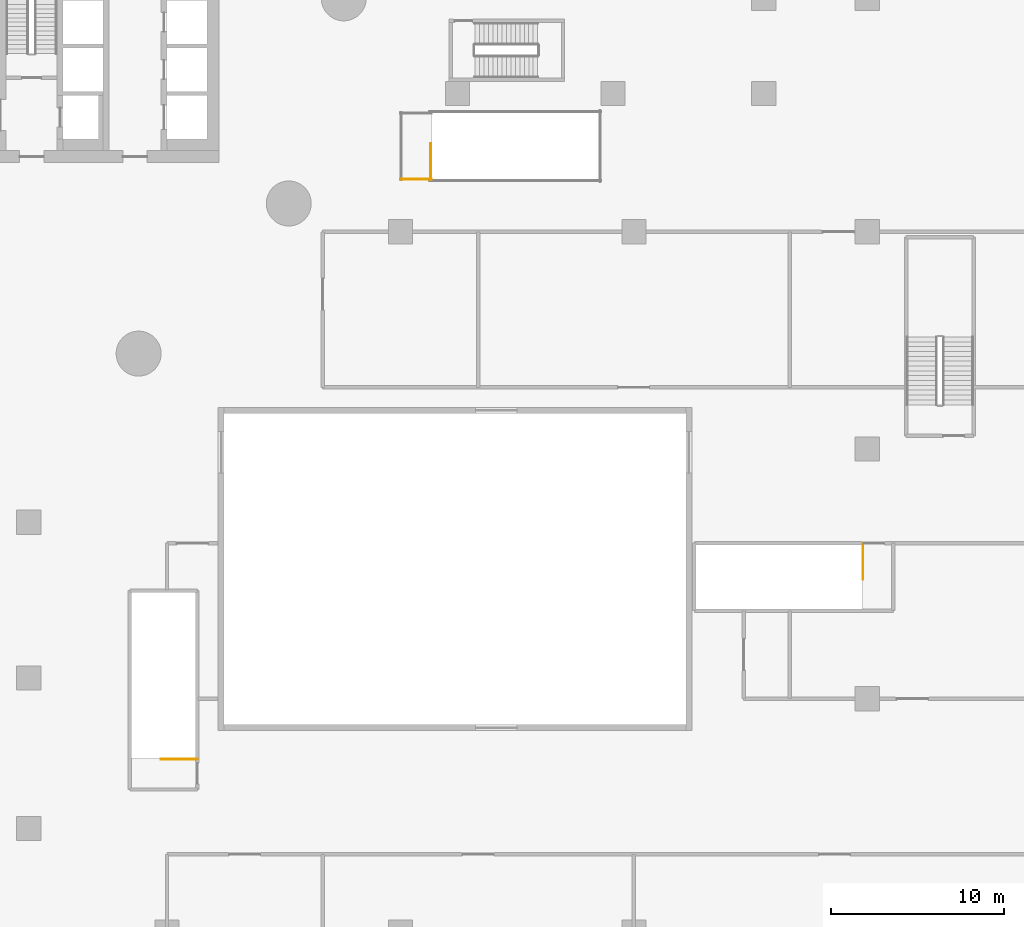
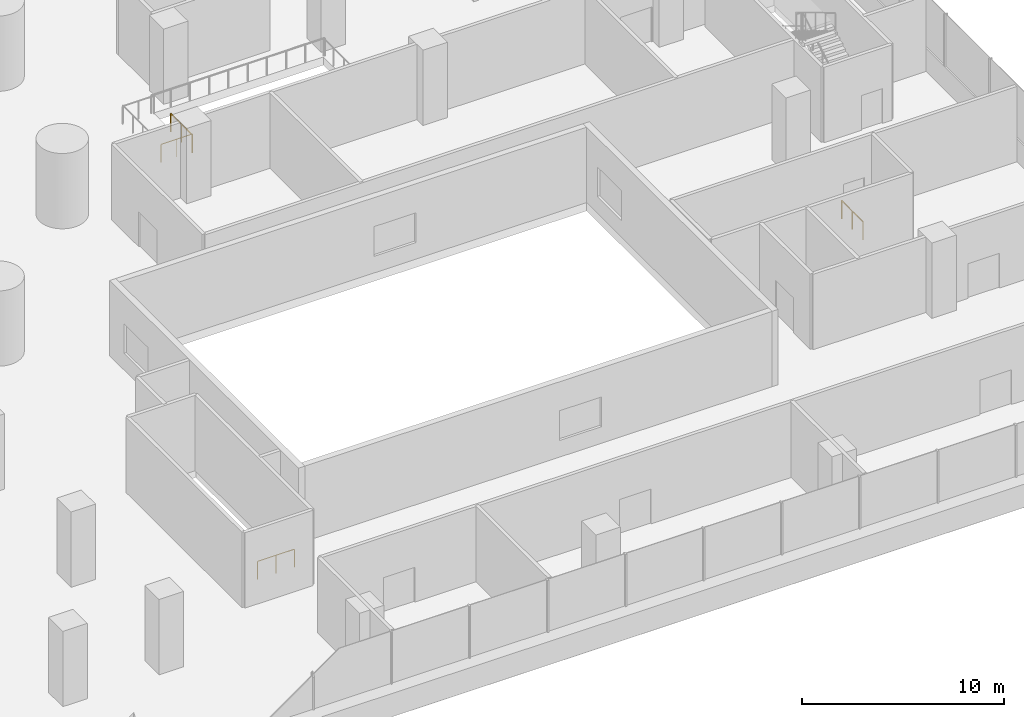
# One storey, part 33 of 38: 4 railings.
"""IFC4 building model written with IfcOpenShell, lengths in metres."""

from ifc_helpers import new_model, si_unit, direction, frame, origin, origin_2d, place, context, subcontext, project, spatial, circle, extrude, material, type_object, element, save


model = new_model("IFC4")

# Units and contexts
model_context = context("Model", 3, precision=1e-05, world=origin(), true_north=direction((0.0, 1.0)))
body_context = subcontext(model_context, "Body", "Model", "MODEL_VIEW")
ifc_project = project(units=[si_unit("LENGTHUNIT", "METRE"), si_unit("AREAUNIT", "SQUARE_METRE"), si_unit("VOLUMEUNIT", "CUBIC_METRE"), si_unit("PLANEANGLEUNIT", "RADIAN"), si_unit("MASSUNIT", "GRAM", prefix="KILO")], contexts=[model_context])

# Site, building, storey
site_placement = place(None, origin())
site = spatial("IfcSite", under=ifc_project, at=site_placement, CompositionType="ELEMENT")
building_placement = place(site_placement, origin())
building = spatial("IfcBuilding", under=site, at=building_placement, Name="Tamarind Cross Interchange Tower", CompositionType="ELEMENT")
storey_placement = place(building_placement, frame((0.0, 0.0, 20.0)))
storey = spatial("IfcBuildingStorey", under=building, at=storey_placement, Name="L03", CompositionType="ELEMENT", Elevation=20.0)

# Railings
ifc_material = material(Name="Public stair guard")
railing_type = type_object("IfcRailingType", Name="Public stair guard", PredefinedType="GUARDRAIL", material=ifc_material)
railing_1_placement = place(storey_placement, frame((28.75, -10.5, 0.0)))
element("IfcRailing", 1, at=railing_1_placement, inside=storey, type_object=railing_type, Name="L03 PS-E top well guard 1", PredefinedType="GUARDRAIL", context=body_context, shape_type="SweptSolid", body=[
    extrude(circle(Radius=0.02392578125, at=origin_2d()), frame((0.0, 0.0, 1.076171875), z_axis=(0.0, 1.0, 0.0), x_axis=(-1.0, 0.0, 0.0)), (0.0, 0.0, 1.0), 2.10009765625),
    extrude(circle(Radius=0.02099609375, at=origin_2d()), origin(), (0.0, 0.0, 1.0), 1.052001953125),
    extrude(circle(Radius=0.02099609375, at=origin_2d()), frame((0.0, 1.050048828125, 0.0)), (0.0, 0.0, 1.0), 1.052001953125),
    extrude(circle(Radius=0.02099609375, at=origin_2d()), frame((0.0, 2.10009765625, 0.0)), (0.0, 0.0, 1.0), 1.052001953125),
])
railing_2_placement = place(storey_placement, frame((27.0, -10.449951171875, 0.0)))
element("IfcRailing", 2, at=railing_2_placement, inside=storey, type_object=railing_type, Name="L03 PS-E top well guard 5", PredefinedType="GUARDRAIL", context=body_context, shape_type="SweptSolid", body=[
    extrude(circle(Radius=0.02392578125, at=origin_2d()), frame((0.0, 0.0, 1.076171875), z_axis=(1.0, 0.0, 0.0), x_axis=(0.0, 1.0, 0.0)), (0.0, 0.0, 1.0), 1.800048828125),
    extrude(circle(Radius=0.02099609375, at=origin_2d()), origin(), (0.0, 0.0, 1.0), 1.052001953125),
    extrude(circle(Radius=0.02099609375, at=origin_2d()), frame((0.89990234375, 0.0, 0.0)), (0.0, 0.0, 1.0), 1.052001953125),
    extrude(circle(Radius=0.02099609375, at=origin_2d()), frame((1.800048828125, 0.0, 0.0)), (0.0, 0.0, 1.0), 1.052001953125),
])
railing_3_placement = place(storey_placement, frame((53.75, -31.5, 0.0)))
element("IfcRailing", 3, at=railing_3_placement, inside=storey, type_object=railing_type, Name="L03 XS-P10 top well guard 1", PredefinedType="GUARDRAIL", context=body_context, shape_type="SweptSolid", body=[
    extrude(circle(Radius=0.02392578125, at=origin_2d()), frame((0.0, 0.0, 1.076171875), z_axis=(0.0, -1.0, 0.0), x_axis=(1.0, 0.0, 0.0)), (0.0, 0.0, 1.0), 2.10009765625),
    extrude(circle(Radius=0.02099609375, at=origin_2d()), origin(), (0.0, 0.0, 1.0), 1.052001953125),
    extrude(circle(Radius=0.02099609375, at=origin_2d()), frame((0.0, -1.050048828125, 0.0)), (0.0, 0.0, 1.0), 1.052001953125),
    extrude(circle(Radius=0.02099609375, at=origin_2d()), frame((0.0, -2.10009765625, 0.0)), (0.0, 0.0, 1.0), 1.052001953125),
])
railing_4_placement = place(storey_placement, frame((15.25, -44.0, 0.0)))
element("IfcRailing", 4, at=railing_4_placement, inside=storey, type_object=railing_type, Name="L03 XS-P12 top well guard 1", PredefinedType="GUARDRAIL", context=body_context, shape_type="SweptSolid", body=[
    extrude(circle(Radius=0.02392578125, at=origin_2d()), frame((0.0, 0.0, 1.076171875), z_axis=(-1.0, 0.0, 0.0), x_axis=(0.0, -1.0, 0.0)), (0.0, 0.0, 1.0), 2.10009765625),
    extrude(circle(Radius=0.02099609375, at=origin_2d()), origin(), (0.0, 0.0, 1.0), 1.052001953125),
    extrude(circle(Radius=0.02099609375, at=origin_2d()), frame((-1.050048828125, 0.0, 0.0)), (0.0, 0.0, 1.0), 1.052001953125),
    extrude(circle(Radius=0.02099609375, at=origin_2d()), frame((-2.10009765625, 0.0, 0.0)), (0.0, 0.0, 1.0), 1.052001953125),
])

save(model, "model.ifc")
